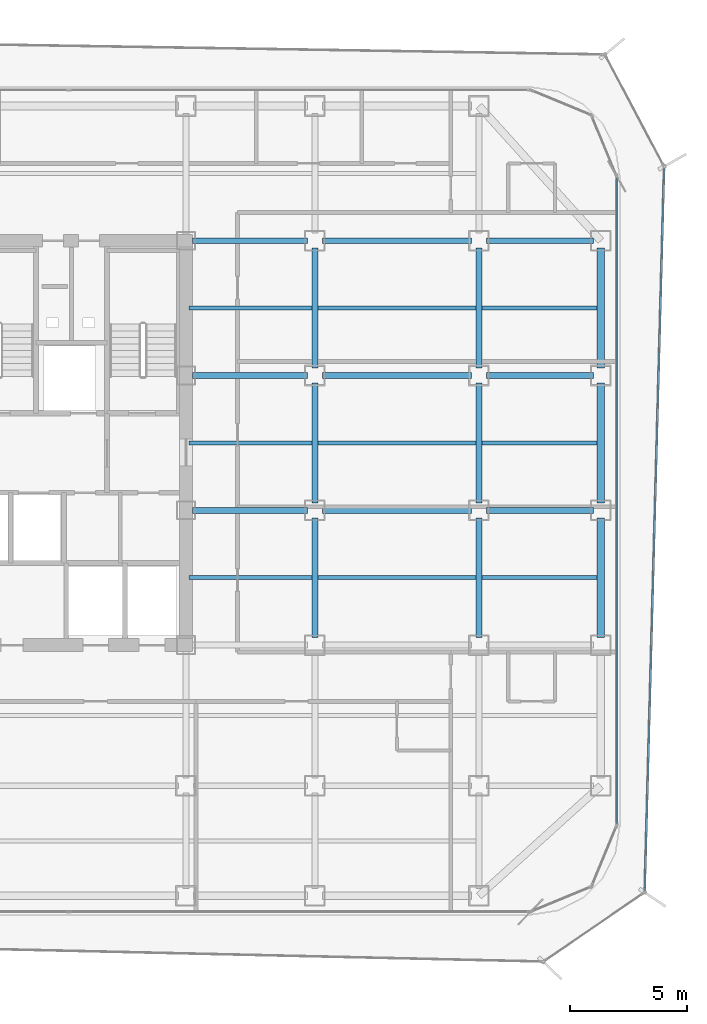
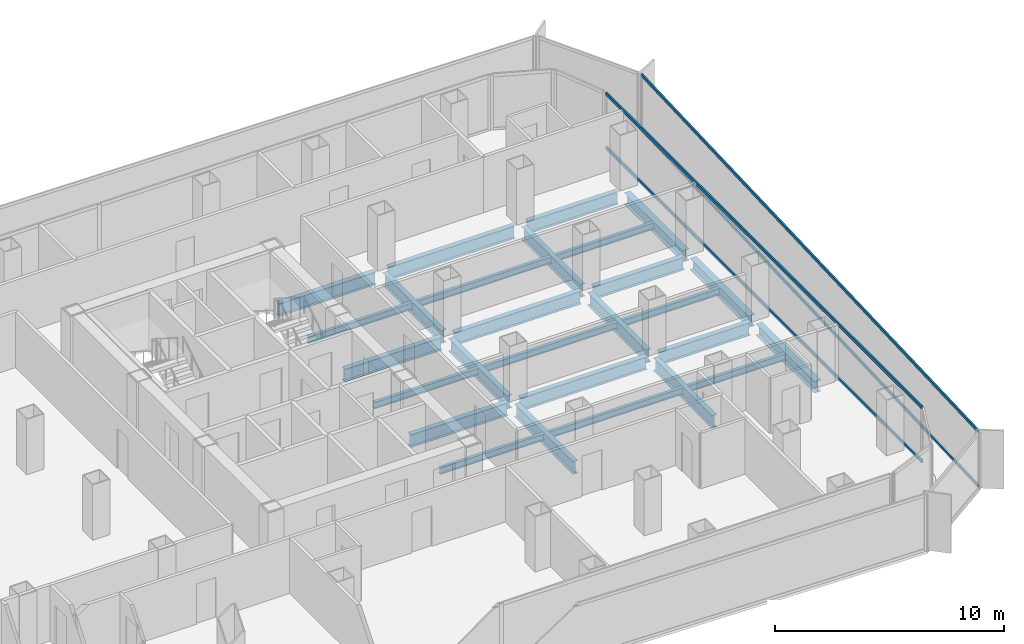
# One storey, part 9 of 21: 27 beams, 4 members, 2 elements without a shape of their own.
"""IFC4 building model written with IfcOpenShell, lengths in metres."""

from ifc_helpers import new_model, si_unit, direction, frame, origin, origin_2d, place, context, subcontext, project, spatial, hollow_rectangle, i_section, extrude, source, transform, mapped, material, layer, layer_set, material_profile, profile_set, type_object, element, aggregate, save


model = new_model("IFC4")

# Units and contexts
model_context = context("Model", 3, precision=1e-05, world=origin(), true_north=direction((0.0, 1.0)))
body_context = subcontext(model_context, "Body", "Model", "MODEL_VIEW")
ifc_project = project(units=[si_unit("LENGTHUNIT", "METRE"), si_unit("AREAUNIT", "SQUARE_METRE"), si_unit("VOLUMEUNIT", "CUBIC_METRE"), si_unit("PLANEANGLEUNIT", "RADIAN"), si_unit("MASSUNIT", "GRAM", prefix="KILO")], contexts=[model_context])

# Site, building, storey
site_placement = place(None, origin())
site = spatial("IfcSite", under=ifc_project, at=site_placement, CompositionType="ELEMENT")
building_placement = place(site_placement, origin())
building = spatial("IfcBuilding", under=site, at=building_placement, Name="Kolveth Station Tower", CompositionType="ELEMENT")
storey_placement = place(building_placement, frame((0.0, 0.0, 118.300048828125)))
storey = spatial("IfcBuildingStorey", under=building, at=storey_placement, Name="L32", CompositionType="ELEMENT", Elevation=118.300048828125)

# Beams
ifc_material_1 = material(Name="Steel S355", Category="steel")
ifc_material_profile_1 = material_profile(ifc_material_1, i_section(OverallWidth=0.323974609375, OverallDepth=0.611083984375, WebThickness=0.0126953125, FlangeThickness=0.01904296875, at=origin_2d()), Name="W610x155")
ifc_profile_set_1 = profile_set([ifc_material_profile_1], Name="Steel S355")
beam_type_1 = type_object("IfcBeamType", Name="Beam_SP2", PredefinedType="SPANDREL", material=ifc_profile_set_1)
shared_shape_1 = source(origin(), body_context, "Body", "SweptSolid", [
    extrude(i_section(OverallWidth=0.323974609375, OverallDepth=0.611083984375, WebThickness=0.0126953125, FlangeThickness=0.01904296875, at=origin_2d()), origin(), (0.0, 0.0, 1.0), 5.10986328125),
])
for number, where, z_axis, x_axis, name in (
    (1, (46.199951171875, 11.820068359375, -0.5556640625), (0.0, 1.0, 0.0), (-1.0, 0.0, 0.0), "L32 Perimeter Spandrel BM-L32-PE-2"),
    (2, (46.199951171875, 17.570068359375, -0.5556640625), (0.0, 1.0, 0.0), (-1.0, 0.0, 0.0), "L32 Perimeter Spandrel BM-L32-PE-3"),
    (3, (46.199951171875, 23.320068359375, -0.5556640625), (0.0, 1.0, 0.0), (-1.0, 0.0, 0.0), "L32 Perimeter Spandrel BM-L32-PE-4"),
):
    element("IfcBeam", number, at=place(storey_placement, frame(where, z_axis=z_axis, x_axis=x_axis)), inside=storey, type_object=beam_type_1, Name=name, PredefinedType="SPANDREL", context=body_context, shape_type="MappedRepresentation", body=[
        mapped(shared_shape_1, transform((0.0, 0.0, 0.0), x_axis=(1.0, 0.0, 0.0), y_axis=(0.0, 1.0, 0.0), z_axis=(0.0, 0.0, 1.0), scale=1.0)),
    ])
ifc_material_profile_2 = material_profile(ifc_material_1, i_section(OverallWidth=0.25390625, OverallDepth=0.68798828125, WebThickness=0.01318359375, FlangeThickness=0.02099609375, at=origin_2d()), Name="W690x152")
ifc_profile_set_2 = profile_set([ifc_material_profile_2], Name="Steel S355")
beam_type_2 = type_object("IfcBeamType", Name="Beam_B4", PredefinedType="BEAM", material=ifc_profile_set_2)
shared_shape_2 = source(origin(), body_context, "Body", "SweptSolid", [
    extrude(i_section(OverallWidth=0.25390625, OverallDepth=0.68798828125, WebThickness=0.01318359375, FlangeThickness=0.02099609375, at=origin_2d()), origin(), (0.0, 0.0, 1.0), 4.559814453125),
])
for number, where, z_axis, x_axis, name in (
    (4, (41.320068359375, 17.25, -0.593994140625), (1.0, 0.0, 0.0), (0.0, 1.0, 0.0), "L32 Primary Girder BM-L32-GY172-7"),
    (5, (41.320068359375, 23.0, -0.593994140625), (1.0, 0.0, 0.0), (0.0, 1.0, 0.0), "L32 Primary Girder BM-L32-GY230-7"),
    (6, (41.320068359375, 28.75, -0.593994140625), (1.0, 0.0, 0.0), (0.0, 1.0, 0.0), "L32 Primary Girder BM-L32-GY287-7"),
):
    element("IfcBeam", number, at=place(storey_placement, frame(where, z_axis=z_axis, x_axis=x_axis)), inside=storey, type_object=beam_type_2, Name=name, PredefinedType="BEAM", context=body_context, shape_type="MappedRepresentation", body=[
        mapped(shared_shape_2, transform((0.0, 0.0, 0.0), x_axis=(1.0, 0.0, 0.0), y_axis=(0.0, 1.0, 0.0), z_axis=(0.0, 0.0, 1.0), scale=1.0)),
    ])
shared_shape_3 = source(origin(), body_context, "Body", "SweptSolid", [
    extrude(i_section(OverallWidth=0.25390625, OverallDepth=0.68798828125, WebThickness=0.01318359375, FlangeThickness=0.02099609375, at=origin_2d()), origin(), (0.0, 0.0, 1.0), 6.35986328125),
])
for number, where, z_axis, x_axis, name in (
    (7, (34.320068359375, 17.25, -0.593994140625), (1.0, 0.0, 0.0), (0.0, 1.0, 0.0), "L32 Primary Girder BM-L32-GY172-6"),
    (8, (34.320068359375, 23.0, -0.593994140625), (1.0, 0.0, 0.0), (0.0, 1.0, 0.0), "L32 Primary Girder BM-L32-GY230-6"),
    (9, (34.320068359375, 28.75, -0.593994140625), (1.0, 0.0, 0.0), (0.0, 1.0, 0.0), "L32 Primary Girder BM-L32-GY287-6"),
):
    element("IfcBeam", number, at=place(storey_placement, frame(where, z_axis=z_axis, x_axis=x_axis)), inside=storey, type_object=beam_type_2, Name=name, PredefinedType="BEAM", context=body_context, shape_type="MappedRepresentation", body=[
        mapped(shared_shape_3, transform((0.0, 0.0, 0.0), x_axis=(1.0, 0.0, 0.0), y_axis=(0.0, 1.0, 0.0), z_axis=(0.0, 0.0, 1.0), scale=1.0)),
    ])
shared_shape_4 = source(origin(), body_context, "Body", "SweptSolid", [
    extrude(i_section(OverallWidth=0.25390625, OverallDepth=0.68798828125, WebThickness=0.01318359375, FlangeThickness=0.02099609375, at=origin_2d()), origin(), (0.0, 0.0, 1.0), 4.89990234375),
])
for number, where, z_axis, x_axis, name in (
    (10, (28.780029296875, 17.25, -0.593994140625), (1.0, 0.0, 0.0), (0.0, 1.0, 0.0), "L32 Primary Girder BM-L32-GY172-5"),
    (11, (28.780029296875, 23.0, -0.593994140625), (1.0, 0.0, 0.0), (0.0, 1.0, 0.0), "L32 Primary Girder BM-L32-GY230-5"),
    (12, (28.780029296875, 28.75, -0.593994140625), (1.0, 0.0, 0.0), (0.0, 1.0, 0.0), "L32 Primary Girder BM-L32-GY287-5"),
):
    element("IfcBeam", number, at=place(storey_placement, frame(where, z_axis=z_axis, x_axis=x_axis)), inside=storey, type_object=beam_type_2, Name=name, PredefinedType="BEAM", context=body_context, shape_type="MappedRepresentation", body=[
        mapped(shared_shape_4, transform((0.0, 0.0, 0.0), x_axis=(1.0, 0.0, 0.0), y_axis=(0.0, 1.0, 0.0), z_axis=(0.0, 0.0, 1.0), scale=1.0)),
    ])
shared_shape_5 = source(origin(), body_context, "Body", "SweptSolid", [
    extrude(i_section(OverallWidth=0.25390625, OverallDepth=0.68798828125, WebThickness=0.01318359375, FlangeThickness=0.02099609375, at=origin_2d()), origin(), (0.0, 0.0, 1.0), 5.10986328125),
])
for number, where, z_axis, x_axis, name in (
    (13, (34.0, 11.820068359375, -0.593994140625), (0.0, 1.0, 0.0), (-1.0, 0.0, 0.0), "L32 Primary Girder BM-L32-GX340-3"),
    (14, (34.0, 17.570068359375, -0.593994140625), (0.0, 1.0, 0.0), (-1.0, 0.0, 0.0), "L32 Primary Girder BM-L32-GX340-4"),
    (15, (34.0, 23.320068359375, -0.593994140625), (0.0, 1.0, 0.0), (-1.0, 0.0, 0.0), "L32 Primary Girder BM-L32-GX340-5"),
    (16, (41.0, 11.820068359375, -0.593994140625), (0.0, 1.0, 0.0), (-1.0, 0.0, 0.0), "L32 Primary Girder BM-L32-GX410-3"),
    (17, (41.0, 17.570068359375, -0.593994140625), (0.0, 1.0, 0.0), (-1.0, 0.0, 0.0), "L32 Primary Girder BM-L32-GX410-4"),
    (18, (41.0, 23.320068359375, -0.593994140625), (0.0, 1.0, 0.0), (-1.0, 0.0, 0.0), "L32 Primary Girder BM-L32-GX410-5"),
):
    element("IfcBeam", number, at=place(storey_placement, frame(where, z_axis=z_axis, x_axis=x_axis)), inside=storey, type_object=beam_type_2, Name=name, PredefinedType="BEAM", context=body_context, shape_type="MappedRepresentation", body=[
        mapped(shared_shape_5, transform((0.0, 0.0, 0.0), x_axis=(1.0, 0.0, 0.0), y_axis=(0.0, 1.0, 0.0), z_axis=(0.0, 0.0, 1.0), scale=1.0)),
    ])
ifc_material_profile_3 = material_profile(ifc_material_1, i_section(OverallWidth=0.1708984375, OverallDepth=0.35205078125, WebThickness=0.0068359375, FlangeThickness=0.009765625, at=origin_2d()), Name="W360x44")
ifc_profile_set_3 = profile_set([ifc_material_profile_3], Name="Steel S355")
beam_type_3 = type_object("IfcBeamType", Name="Beam_J2", PredefinedType="JOIST", material=ifc_profile_set_3)
shared_shape_6 = source(origin(), body_context, "Body", "SweptSolid", [
    extrude(i_section(OverallWidth=0.1708984375, OverallDepth=0.35205078125, WebThickness=0.0068359375, FlangeThickness=0.009765625, at=origin_2d()), origin(), (0.0, 0.0, 1.0), 4.9150390625),
])
for number, where, z_axis, x_axis, name in (
    (19, (41.125, 14.375, -0.426025390625), (1.0, 0.0, 0.0), (0.0, 1.0, 0.0), "L32 Secondary Joist JST-L32-7-3"),
    (20, (41.125, 20.125, -0.426025390625), (1.0, 0.0, 0.0), (0.0, 1.0, 0.0), "L32 Secondary Joist JST-L32-7-4"),
    (21, (41.125, 25.875, -0.426025390625), (1.0, 0.0, 0.0), (0.0, 1.0, 0.0), "L32 Secondary Joist JST-L32-7-5"),
):
    element("IfcBeam", number, at=place(storey_placement, frame(where, z_axis=z_axis, x_axis=x_axis)), inside=storey, type_object=beam_type_3, Name=name, PredefinedType="JOIST", context=body_context, shape_type="MappedRepresentation", body=[
        mapped(shared_shape_6, transform((0.0, 0.0, 0.0), x_axis=(1.0, 0.0, 0.0), y_axis=(0.0, 1.0, 0.0), z_axis=(0.0, 0.0, 1.0), scale=1.0)),
    ])
shared_shape_7 = source(origin(), body_context, "Body", "SweptSolid", [
    extrude(i_section(OverallWidth=0.1708984375, OverallDepth=0.35205078125, WebThickness=0.0068359375, FlangeThickness=0.009765625, at=origin_2d()), origin(), (0.0, 0.0, 1.0), 6.75),
])
for number, where, z_axis, x_axis, name in (
    (22, (34.125, 14.375, -0.426025390625), (1.0, 0.0, 0.0), (0.0, 1.0, 0.0), "L32 Secondary Joist JST-L32-6-3"),
    (23, (34.125, 20.125, -0.426025390625), (1.0, 0.0, 0.0), (0.0, 1.0, 0.0), "L32 Secondary Joist JST-L32-6-4"),
    (24, (34.125, 25.875, -0.426025390625), (1.0, 0.0, 0.0), (0.0, 1.0, 0.0), "L32 Secondary Joist JST-L32-6-5"),
):
    element("IfcBeam", number, at=place(storey_placement, frame(where, z_axis=z_axis, x_axis=x_axis)), inside=storey, type_object=beam_type_3, Name=name, PredefinedType="JOIST", context=body_context, shape_type="MappedRepresentation", body=[
        mapped(shared_shape_7, transform((0.0, 0.0, 0.0), x_axis=(1.0, 0.0, 0.0), y_axis=(0.0, 1.0, 0.0), z_axis=(0.0, 0.0, 1.0), scale=1.0)),
    ])
shared_shape_8 = source(origin(), body_context, "Body", "SweptSolid", [
    extrude(i_section(OverallWidth=0.1708984375, OverallDepth=0.35205078125, WebThickness=0.0068359375, FlangeThickness=0.009765625, at=origin_2d()), origin(), (0.0, 0.0, 1.0), 5.25),
])
for number, where, z_axis, x_axis, name in (
    (25, (28.625, 14.375, -0.426025390625), (1.0, 0.0, 0.0), (0.0, 1.0, 0.0), "L32 Secondary Joist JST-L32-5-3"),
    (26, (28.625, 20.125, -0.426025390625), (1.0, 0.0, 0.0), (0.0, 1.0, 0.0), "L32 Secondary Joist JST-L32-5-4"),
    (27, (28.625, 25.875, -0.426025390625), (1.0, 0.0, 0.0), (0.0, 1.0, 0.0), "L32 Secondary Joist JST-L32-5-5"),
):
    element("IfcBeam", number, at=place(storey_placement, frame(where, z_axis=z_axis, x_axis=x_axis)), inside=storey, type_object=beam_type_3, Name=name, PredefinedType="JOIST", context=body_context, shape_type="MappedRepresentation", body=[
        mapped(shared_shape_8, transform((0.0, 0.0, 0.0), x_axis=(1.0, 0.0, 0.0), y_axis=(0.0, 1.0, 0.0), z_axis=(0.0, 0.0, 1.0), scale=1.0)),
    ])

# Curtain wall, members
ifc_material_2 = material(Name="Aluminium 6063-T6 and low-E dark glass", Category="aluminium")
ifc_layer_1 = layer(ifc_material_2, 0.18994140625)
ifc_layer_set_1 = layer_set([ifc_layer_1], Name="Aluminium 6063-T6 and low-E dark glass")
curtain_wall_type_1 = type_object("IfcCurtainWallType", Name="CurtainWall_CW-Z2", PredefinedType="NOTDEFINED", material=ifc_layer_set_1)
curtain_wall_1_placement = place(storey_placement, origin())
curtain_wall_1 = element("IfcCurtainWall", 28, at=curtain_wall_1_placement, inside=storey, type_object=curtain_wall_type_1, Name="L32 Inner Thermal Curtain Wall 3", PredefinedType="NOTDEFINED")
ifc_material_3 = material(Name="Black anodized aluminium 6063-T6", Category="aluminium")
ifc_material_profile_4 = material_profile(ifc_material_3, hollow_rectangle(XDim=0.080078125, YDim=0.169921875, WallThickness=0.0048828125, at=origin_2d()), Name="ALU-80x170x5")
ifc_profile_set_4 = profile_set([ifc_material_profile_4], Name="Black anodized aluminium 6063-T6")
member_type_1 = type_object("IfcMemberType", Name="Transom_TR2", PredefinedType="USERDEFINED", material=ifc_profile_set_4)
shared_shape_9 = source(origin(), body_context, "Body", "SweptSolid", [
    extrude(hollow_rectangle(XDim=0.080078125, YDim=0.169921875, WallThickness=0.0048828125, at=origin_2d()), origin(), (0.0, 0.0, 1.0), 27.5400390625),
])
member_1_placement = place(storey_placement, frame((46.8798828125, 3.8798828125, 0.0400390625), z_axis=(0.0, 1.0, 0.0), x_axis=(-1.0, 0.0, 0.0)))
member_1 = element("IfcMember", 29, at=member_1_placement, type_object=member_type_1, Name="CW-Z2 transom 1.1", ObjectType="TRANSOM", PredefinedType="USERDEFINED", context=body_context, shape_type="MappedRepresentation", body=[
    mapped(shared_shape_9, transform((0.0, 0.0, 0.0), x_axis=(1.0, 0.0, 0.0), y_axis=(0.0, 1.0, 0.0), z_axis=(0.0, 0.0, 1.0), scale=1.0)),
])
member_2_placement = place(storey_placement, frame((46.8798828125, 3.8798828125, 2.909912109375), z_axis=(0.0, 1.0, 0.0), x_axis=(-1.0, 0.0, 0.0)))
member_2 = element("IfcMember", 30, at=member_2_placement, type_object=member_type_1, Name="CW-Z2 transom 1.2", ObjectType="TRANSOM", PredefinedType="USERDEFINED", context=body_context, shape_type="MappedRepresentation", body=[
    mapped(shared_shape_9, transform((0.0, 0.0, 0.0), x_axis=(1.0, 0.0, 0.0), y_axis=(0.0, 1.0, 0.0), z_axis=(0.0, 0.0, 1.0), scale=1.0)),
])
aggregate(curtain_wall_1, [member_1, member_2])

ifc_material_4 = material(Name="Black anodized aluminium 6063-T6 and dark solar glass", Category="aluminium")
ifc_layer_2 = layer(ifc_material_4, 0.159912109375)
ifc_layer_set_2 = layer_set([ifc_layer_2], Name="Black anodized aluminium 6063-T6 and dark solar glass")
curtain_wall_type_2 = type_object("IfcCurtainWallType", Name="OUTER SKIN CW-OS", PredefinedType="NOTDEFINED", material=ifc_layer_set_2)
curtain_wall_2_placement = place(storey_placement, origin())
curtain_wall_2 = element("IfcCurtainWall", 31, at=curtain_wall_2_placement, inside=storey, type_object=curtain_wall_type_2, Name="L32 Outer Ventilated Skin Curtain Wall 2", PredefinedType="NOTDEFINED")
ifc_material_profile_5 = material_profile(ifc_material_3, hollow_rectangle(XDim=0.080078125, YDim=0.14990234375, WallThickness=0.0048828125, at=origin_2d()), Name="ALU-80x150x5")
ifc_profile_set_5 = profile_set([ifc_material_profile_5], Name="Black anodized aluminium 6063-T6")
member_type_2 = type_object("IfcMemberType", Name="Transom_TR-OS", PredefinedType="USERDEFINED", material=ifc_profile_set_5)
shared_shape_10 = source(origin(), body_context, "Body", "SweptSolid", [
    extrude(hollow_rectangle(XDim=0.080078125, YDim=0.14990234375, WallThickness=0.0048828125, at=origin_2d()), origin(), (0.0, 0.0, 1.0), 30.80078125),
])
member_3_placement = place(storey_placement, frame((48.073486328125, 1.03955078125, 0.0400390625), z_axis=(0.026830919026, 0.999639986087, 0.0), x_axis=(-0.999639986087, 0.026830919026, 0.0)))
member_3 = element("IfcMember", 32, at=member_3_placement, type_object=member_type_2, Name="CW-OS transom 1.1", ObjectType="TRANSOM", PredefinedType="USERDEFINED", context=body_context, shape_type="MappedRepresentation", body=[
    mapped(shared_shape_10, transform((0.0, 0.0, 0.0), x_axis=(1.0, 0.0, 0.0), y_axis=(0.0, 1.0, 0.0), z_axis=(0.0, 0.0, 1.0), scale=1.0)),
])
member_4_placement = place(storey_placement, frame((48.073486328125, 1.03955078125, 2.949951171875), z_axis=(0.026830919026, 0.999639986087, 0.0), x_axis=(-0.999639986087, 0.026830919026, 0.0)))
member_4 = element("IfcMember", 33, at=member_4_placement, type_object=member_type_2, Name="CW-OS transom 1.2", ObjectType="TRANSOM", PredefinedType="USERDEFINED", context=body_context, shape_type="MappedRepresentation", body=[
    mapped(shared_shape_10, transform((0.0, 0.0, 0.0), x_axis=(1.0, 0.0, 0.0), y_axis=(0.0, 1.0, 0.0), z_axis=(0.0, 0.0, 1.0), scale=1.0)),
])
aggregate(curtain_wall_2, [member_3, member_4])

save(model, "model.ifc")
